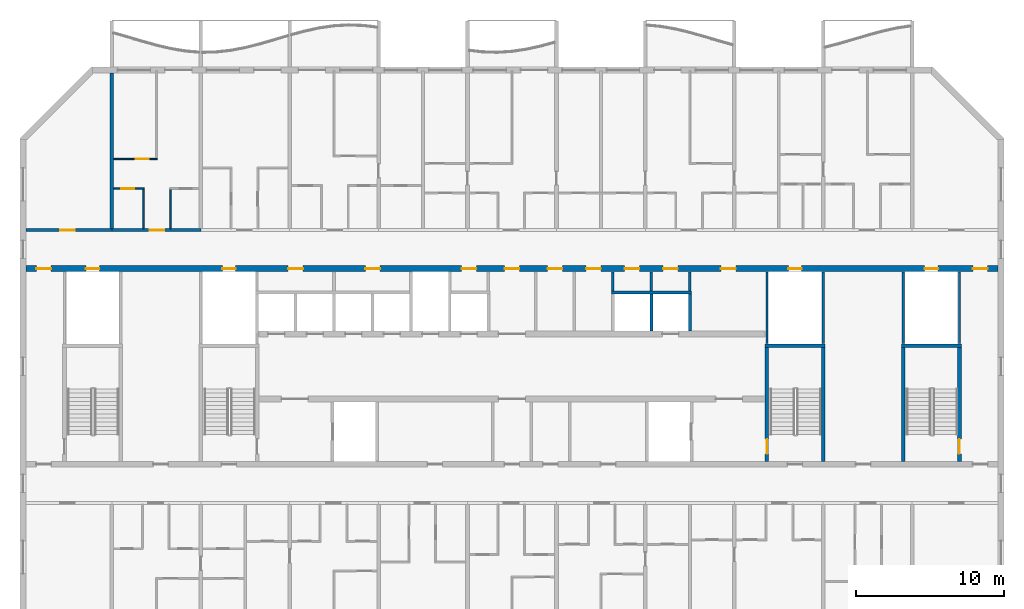
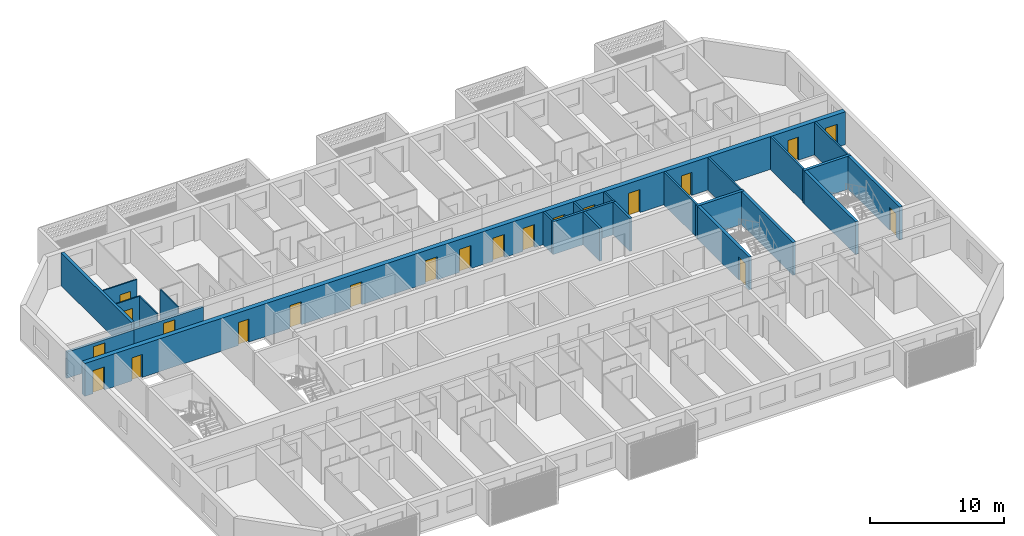
# One storey, part 7 of 27: 24 walls, 21 doors, 21 openings.
"""IFC4 building model written with IfcOpenShell, lengths in metres."""

import ifcopenshell
import ifcopenshell.guid

model = None  # the IFC model being written
_history = None  # IfcOwnerHistory: only IFC2X3 demands one
_inside = {}  # id of a spatial element -> (the spatial element, [elements in it])
_under = {}  # id of a project, library or spatial element -> (it, [spatial elements below it])
_declared = {}  # id of a project -> (the project, [libraries it declares])
_typed = {}  # id of a type object -> (the type object, [elements of that type])
_made_of = {}  # id of a material, layer set ... -> (it, [elements and type objects made of it])


def new_model(schema):
    """Start an empty IFC model of exactly this schema.

    Asked for "IFC4X3", IfcOpenShell would pick the latest addendum, in which some entities
    have other attributes; the version numbers below select the first issue.
    IFC2X3 requires an IfcOwnerHistory on every rooted entity: one is made here for all.
    """
    global model, _history
    if schema == "IFC4X3":
        model = ifcopenshell.file(schema_version=(4, 3, 0, 0))
    else:
        model = ifcopenshell.file(schema=schema)
    _inside.clear()
    _under.clear()
    _declared.clear()
    _typed.clear()
    _made_of.clear()
    _history = None
    if model.schema == "IFC2X3":
        org = make("IfcOrganization", Name="unknown")
        user = make(
            "IfcPersonAndOrganization",
            ThePerson=make("IfcPerson", FamilyName="unknown"),
            TheOrganization=org,
        )
        app = make(
            "IfcApplication",
            ApplicationDeveloper=org,
            Version="unknown",
            ApplicationFullName="unknown",
            ApplicationIdentifier="unknown",
        )
        _history = make(
            "IfcOwnerHistory",
            OwningUser=user,
            OwningApplication=app,
            ChangeAction="ADDED",
            CreationDate=0,
        )
    return model


def make(cls, **values):
    """One entity of the class cls with the attributes given. An attribute that is None is left unset."""
    return model.create_entity(
        cls, **{name: value for name, value in values.items() if value is not None}
    )


def rooted(cls, **values):
    """An entity with a GlobalId (a new one), such as an element, a storey or a relation."""
    return make(cls, GlobalId=ifcopenshell.guid.new(), OwnerHistory=_history, **values)


def si_unit(unit_type, name, prefix=None):
    """IfcSIUnit, for example si_unit("LENGTHUNIT", "METRE", prefix="MILLI")."""
    return make("IfcSIUnit", UnitType=unit_type, Prefix=prefix, Name=name)


def assignment(units):
    """IfcUnitAssignment: the units of a project."""
    return None if units is None else make("IfcUnitAssignment", Units=units)


def point(xyz):
    """IfcCartesianPoint."""
    return None if xyz is None else make("IfcCartesianPoint", Coordinates=xyz)


def direction(xyz):
    """IfcDirection."""
    return None if xyz is None else make("IfcDirection", DirectionRatios=xyz)


def frame(location, z_axis=None, x_axis=None):
    """IfcAxis2Placement3D, a coordinate frame: its origin and axes. An axis left out is left unset."""
    return make(
        "IfcAxis2Placement3D",
        Location=point(location),
        Axis=direction(z_axis),
        RefDirection=direction(x_axis),
    )


def frame_2d(location, x_axis=None):
    """IfcAxis2Placement2D, a coordinate frame in the plane: its origin and x axis."""
    return make(
        "IfcAxis2Placement2D", Location=point(location), RefDirection=direction(x_axis)
    )


def origin():
    """The frame at (0, 0, 0) with its axes left unset."""
    return frame((0.0, 0.0, 0.0))


def place(relative_to, where):
    """IfcLocalPlacement: puts the frame where relative to a parent placement (None: the world)."""
    return make(
        "IfcLocalPlacement", PlacementRelTo=relative_to, RelativePlacement=where
    )


def context(
    kind, dimensions, precision=None, world=None, true_north=None, identifier=None
):
    """IfcGeometricRepresentationContext, for example the 3D "Model" context."""
    return make(
        "IfcGeometricRepresentationContext",
        ContextIdentifier=identifier,
        ContextType=kind,
        CoordinateSpaceDimension=dimensions,
        Precision=precision,
        WorldCoordinateSystem=world,
        TrueNorth=true_north,
    )


def subcontext(parent, identifier, kind, view, scale=None):
    """IfcGeometricRepresentationSubContext, for example "Body" below "Model"."""
    return make(
        "IfcGeometricRepresentationSubContext",
        ContextIdentifier=identifier,
        ContextType=kind,
        ParentContext=parent,
        TargetScale=scale,
        TargetView=view,
    )


def project(units=None, contexts=None):
    """IfcProject with its units and contexts."""
    return rooted(
        "IfcProject",
        Name="project",
        RepresentationContexts=contexts,
        UnitsInContext=assignment(units),
    )


def spatial(cls, under=None, at=None, **own):
    """A site, building, storey or space (cls), placed at a placement, below another one or the project."""
    s = rooted(cls, ObjectPlacement=at, **own)
    if under is not None:
        _under.setdefault(under.id(), (under, []))[1].append(s)
    return s


def profile(cls, at=None, kind="AREA", **sizes):
    """A parametric profile (cls). Its sizes go by their IFC names, for example OverallWidth=200.0."""
    return make(cls, ProfileType=kind, Position=at, **sizes)


def rectangle(**sizes):
    """IfcRectangleProfileDef."""
    return profile("IfcRectangleProfileDef", **sizes)


def extrude(swept, where, along, depth):
    """IfcExtrudedAreaSolid: the profile swept, set in the frame where, extruded along a direction by depth."""
    return make(
        "IfcExtrudedAreaSolid",
        SweptArea=swept,
        Position=where,
        ExtrudedDirection=direction(along),
        Depth=depth,
    )


def shape(context_of_items, identifier, shape_type, items):
    """IfcShapeRepresentation: the items that make up one representation, for example the "Body"."""
    return make(
        "IfcShapeRepresentation",
        ContextOfItems=context_of_items,
        RepresentationIdentifier=identifier,
        RepresentationType=shape_type,
        Items=items,
    )


def material(Name=None, Category=None):
    """IfcMaterial."""
    return make("IfcMaterial", Name=Name, Category=Category)


def layer(
    of_material, thickness, ventilated=None, Name=None, Category=None, Priority=None
):
    """IfcMaterialLayer: one layer of a wall or slab, of a material (None: an air gap)."""
    return make(
        "IfcMaterialLayer",
        Material=of_material,
        LayerThickness=thickness,
        IsVentilated=ventilated,
        Name=Name,
        Category=Category,
        Priority=Priority,
    )


def layer_set(layers, Name=None):
    """IfcMaterialLayerSet."""
    return make("IfcMaterialLayerSet", MaterialLayers=layers, LayerSetName=Name)


def made_of(thing, what):
    """Note that an element or type object is made of a material, layer set ...; save() writes the relation."""
    if what is not None:
        _made_of.setdefault(what.id(), (what, []))[1].append(thing)
    return thing


def type_object(cls, material=None, **own):
    """A type object (cls), such as IfcWallType, which elements share."""
    return made_of(rooted(cls, **own), material)


def element(
    cls,
    number,
    at=None,
    inside=None,
    cuts=None,
    type_object=None,
    material=None,
    context=None,
    identifier="Body",
    shape_type=None,
    held_by="IfcProductDefinitionShape",
    body=None,
    shapes=None,
    **own,
):
    """One element of the class cls, such as IfcWall. Its Tag is "e" and its number.

    at: its placement. inside: the storey or other place that contains it. cuts: it is an
    opening in that element (IfcRelVoidsElement). A single representation is given by context,
    identifier, shape_type and body (its items); several are given by shapes. held_by: the class
    of the entity that holds the representations. save() writes the other relations.
    """
    e = rooted(cls, Tag="e%d" % number, ObjectPlacement=at, **own)
    if body is not None:
        shapes = [shape(context, identifier, shape_type, body)]
    if shapes is not None:
        e.Representation = make(held_by, Representations=shapes)
    if inside is not None:
        _inside.setdefault(inside.id(), (inside, []))[1].append(e)
    if cuts is not None:
        rooted(
            "IfcRelVoidsElement", RelatingBuildingElement=cuts, RelatedOpeningElement=e
        )
    if type_object is not None:
        _typed.setdefault(type_object.id(), (type_object, []))[1].append(e)
    return made_of(e, material)


def fill(opening, filler):
    """IfcRelFillsElement: the door or window that sits in an opening."""
    return rooted(
        "IfcRelFillsElement",
        RelatingOpeningElement=opening,
        RelatedBuildingElement=filler,
    )


def aggregate(whole, parts):
    """IfcRelAggregates: a whole, such as a stair, and the parts it consists of."""
    return rooted("IfcRelAggregates", RelatingObject=whole, RelatedObjects=parts)


def save(model, path):
    """Write the relations noted so far, then the file.

    IfcRelAggregates (storeys below a building ...), IfcRelContainedInSpatialStructure (elements
    in a storey), IfcRelDefinesByType, IfcRelAssociatesMaterial and IfcRelDeclares: one each for
    every whole, place, type object, material and project.
    """
    for whole, parts in _under.values():
        aggregate(whole, parts)
    for where, things in _inside.values():
        rooted(
            "IfcRelContainedInSpatialStructure",
            RelatedElements=things,
            RelatingStructure=where,
        )
    for kind, things in _typed.values():
        rooted("IfcRelDefinesByType", RelatedObjects=things, RelatingType=kind)
    for what, things in _made_of.values():
        rooted("IfcRelAssociatesMaterial", RelatedObjects=things, RelatingMaterial=what)
    for by, libraries in _declared.values():
        rooted("IfcRelDeclares", RelatingContext=by, RelatedDefinitions=libraries)
    model.write(path)


model = new_model("IFC4")

# Units and contexts
model_context = context("Model", 3, precision=1e-05, world=origin(), true_north=direction((0.0, 1.0)))
body_context = subcontext(model_context, "Body", "Model", "MODEL_VIEW")
ifc_project = project(units=[si_unit("LENGTHUNIT", "METRE"), si_unit("AREAUNIT", "SQUARE_METRE"), si_unit("VOLUMEUNIT", "CUBIC_METRE"), si_unit("PLANEANGLEUNIT", "RADIAN"), si_unit("MASSUNIT", "GRAM", prefix="KILO")], contexts=[model_context])

# Site, building, storey
site_placement = place(None, origin())
site = spatial("IfcSite", under=ifc_project, at=site_placement, CompositionType="ELEMENT")
building_placement = place(site_placement, origin())
building = spatial("IfcBuilding", under=site, at=building_placement, Name="Poui Terraces", CompositionType="ELEMENT")
storey_placement = place(building_placement, frame((0.0, 0.0, 208.199951171875)))
storey = spatial("IfcBuildingStorey", under=building, at=storey_placement, Name="L58", CompositionType="ELEMENT", Elevation=208.199951171875)

# Wall, opening, door
ifc_material_1 = material(Name="Concrete 50 MPa", Category="concrete")
ifc_layer_1 = layer(ifc_material_1, 0.199951171875)
ifc_layer_set_1 = layer_set([ifc_layer_1], Name="Concrete 50 MPa")
wall_type_1 = type_object("IfcWallType", Name="CORRIDOR WALL 200 50MPa", PredefinedType="SHEAR", material=ifc_layer_set_1)
wall_1_placement = place(storey_placement, frame((18.199951171875, 30.39990234375, 0.0), z_axis=(0.0, 0.0, 1.0), x_axis=(1.0, 0.0, 0.0)))
wall_1 = element("IfcWall", 1, at=wall_1_placement, inside=storey, type_object=wall_type_1, Name="CORRIDOR WALL LINE E BAY 1", PredefinedType="SHEAR", context=body_context, shape_type="SweptSolid", body=[
    extrude(rectangle(XDim=5.800048828125, YDim=0.199951171875, at=frame_2d((2.89990234375, 0.0))), origin(), (0.0, 0.0, 1.0), 2.400146484375),
])
opening_1_placement = place(wall_1_placement, frame((2.300048828125, 0.0, 0.0)))
opening_1 = element("IfcOpeningElement", 2, at=opening_1_placement, cuts=wall_1, Name="Opening D100", PredefinedType="OPENING", context=body_context, shape_type="SweptSolid", body=[
    extrude(rectangle(XDim=1.0, YDim=2.10009765625, at=frame_2d((0.5, 1.050048828125))), frame((0.0, 0.10986328125, 0.0), z_axis=(0.0, -1.0, 0.0), x_axis=(1.0, 0.0, 0.0)), (0.0, 0.0, 1.0), 0.219970703125),
])
ifc_material_2 = material(Name="Solid core timber door", Category="wood")
door_type_1 = type_object("IfcDoorType", Name="ACCESSIBLE INTERNAL DOOR 1000 X 2100", OperationType="NOTDEFINED", PredefinedType="DOOR", material=ifc_material_2)
door_1_placement = place(opening_1_placement, origin())
door_1 = element("IfcDoor", 3, at=door_1_placement, inside=storey, type_object=door_type_1, Name="ACCESSIBLE INTERNAL DOOR 026", OperationType="SINGLE_SWING_LEFT", OverallHeight=2.10009765625, OverallWidth=1.0, PredefinedType="DOOR", context=body_context, shape_type="SweptSolid", body=[
    extrude(rectangle(XDim=1.0, YDim=2.10009765625, at=frame_2d((0.5, 1.050048828125))), frame((0.0, 0.02490234375, 0.0), z_axis=(0.0, -1.0, 0.0), x_axis=(1.0, 0.0, 0.0)), (0.0, 0.0, 1.0), 0.050048828125),
])
fill(opening_1, door_1)

wall_2_placement = place(storey_placement, frame((24.0, 30.39990234375, 0.0), z_axis=(0.0, 0.0, 1.0), x_axis=(1.0, 0.0, 0.0)))
wall_2 = element("IfcWall", 4, at=wall_2_placement, inside=storey, type_object=wall_type_1, Name="CORRIDOR WALL LINE E BAY 2", PredefinedType="SHEAR", context=body_context, shape_type="SweptSolid", body=[
    extrude(rectangle(XDim=6.0, YDim=0.199951171875, at=frame_2d((3.0, 0.0))), origin(), (0.0, 0.0, 1.0), 2.400146484375),
])
opening_2_placement = place(wall_2_placement, frame((2.550048828125, 0.0, 0.0)))
opening_2 = element("IfcOpeningElement", 5, at=opening_2_placement, cuts=wall_2, Name="Opening FD30S", PredefinedType="OPENING", context=body_context, shape_type="SweptSolid", body=[
    extrude(rectangle(XDim=1.0, YDim=2.10009765625, at=frame_2d((0.5, 1.050048828125))), frame((0.0, 0.10986328125, 0.0), z_axis=(0.0, -1.0, 0.0), x_axis=(1.0, 0.0, 0.0)), (0.0, 0.0, 1.0), 0.219970703125),
])
ifc_material_3 = material(Name="Steel fire door", Category="steel")
door_type_2 = type_object("IfcDoorType", Name="FLAT ENTRANCE DOOR 1000 X 2100", OperationType="NOTDEFINED", PredefinedType="DOOR", material=ifc_material_3)
door_2_placement = place(opening_2_placement, origin())
door_2 = element("IfcDoor", 6, at=door_2_placement, inside=storey, type_object=door_type_2, Name="FLAT ENTRANCE DOOR 029", OperationType="SINGLE_SWING_RIGHT", OverallHeight=2.10009765625, OverallWidth=1.0, PredefinedType="DOOR", context=body_context, shape_type="SweptSolid", body=[
    extrude(rectangle(XDim=1.0, YDim=2.10009765625, at=frame_2d((0.5, 1.050048828125))), frame((0.0, 0.02490234375, 0.0), z_axis=(0.0, -1.0, 0.0), x_axis=(1.0, 0.0, 0.0)), (0.0, 0.0, 1.0), 0.050048828125),
])
fill(opening_2, door_2)

# Wall
ifc_layer_2 = layer(ifc_material_1, 0.25)
ifc_layer_set_2 = layer_set([ifc_layer_2], Name="Concrete 50 MPa")
wall_type_2 = type_object("IfcWallType", Name="CROSS WALL 250 50MPa", PredefinedType="SHEAR", material=ifc_layer_set_2)
wall_3_placement = place(storey_placement, frame((24.0, 30.5, 0.0), z_axis=(0.0, 0.0, 1.0), x_axis=(0.0, 1.0, 0.0)))
element("IfcWall", 7, at=wall_3_placement, inside=storey, type_object=wall_type_2, Name="CROSS WALL LINE 5 NORTH", PredefinedType="SHEAR", context=body_context, shape_type="SweptSolid", body=[
    extrude(rectangle(XDim=10.5, YDim=0.25, at=frame_2d((5.25, 0.0))), origin(), (0.0, 0.0, 1.0), 3.0),
])

# Wall, opening, door
ifc_material_4 = material(Name="Plasterboard partition")
ifc_layer_3 = layer(ifc_material_4, 0.10009765625)
ifc_layer_set_3 = layer_set([ifc_layer_3], Name="Plasterboard partition")
wall_type_3 = type_object("IfcWallType", Name="FLAT PARTITION 100", PredefinedType="PARTITIONING", material=ifc_layer_set_3)
wall_4_placement = place(storey_placement, frame((24.135009765625, 33.199951171875, 0.0), z_axis=(0.0, 0.0, 1.0), x_axis=(1.0, 0.0, 0.0)))
wall_4 = element("IfcWall", 8, at=wall_4_placement, inside=storey, type_object=wall_type_3, Name="FLAT PARTITION 100", PredefinedType="PARTITIONING", context=body_context, shape_type="SweptSolid", body=[
    extrude(rectangle(XDim=2.06494140625, YDim=0.10009765625, at=frame_2d((1.032470703125, 0.0))), origin(), (0.0, 0.0, 1.0), 3.0),
])
opening_3_placement = place(wall_4_placement, frame((0.489990234375, 0.0, 0.0)))
opening_3 = element("IfcOpeningElement", 9, at=opening_3_placement, cuts=wall_4, Name="Opening D90", PredefinedType="OPENING", context=body_context, shape_type="SweptSolid", body=[
    extrude(rectangle(XDim=0.89990234375, YDim=2.10009765625, at=frame_2d((0.449951171875, 1.050048828125))), frame((0.0, 0.06005859375, 0.0), z_axis=(0.0, -1.0, 0.0), x_axis=(1.0, 0.0, 0.0)), (0.0, 0.0, 1.0), 0.1201171875),
])
door_type_3 = type_object("IfcDoorType", Name="INTERNAL DOOR 900 X 2100", OperationType="NOTDEFINED", PredefinedType="DOOR", material=ifc_material_2)
door_3_placement = place(opening_3_placement, frame((0.89990234375, 0.0, 0.0), z_axis=(0.0, 0.0, 1.0), x_axis=(-1.0, 0.0, 0.0)))
door_3 = element("IfcDoor", 10, at=door_3_placement, inside=storey, type_object=door_type_3, Name="INTERNAL DOOR 027", OperationType="SINGLE_SWING_LEFT", OverallHeight=2.10009765625, OverallWidth=0.89990234375, PredefinedType="DOOR", context=body_context, shape_type="SweptSolid", body=[
    extrude(rectangle(XDim=0.89990234375, YDim=2.10009765625, at=frame_2d((0.449951171875, 1.050048828125))), frame((0.0, 0.02490234375, 0.0), z_axis=(0.0, -1.0, 0.0), x_axis=(1.0, 0.0, 0.0)), (0.0, 0.0, 1.0), 0.050048828125),
])
fill(opening_3, door_3)

wall_5_placement = place(storey_placement, frame((24.135009765625, 35.199951171875, 0.0), z_axis=(0.0, 0.0, 1.0), x_axis=(1.0, 0.0, 0.0)))
wall_5 = element("IfcWall", 11, at=wall_5_placement, inside=storey, type_object=wall_type_3, Name="FLAT PARTITION 100", PredefinedType="PARTITIONING", context=body_context, shape_type="SweptSolid", body=[
    extrude(rectangle(XDim=2.9150390625, YDim=0.10009765625, at=frame_2d((1.45751953125, 0.0))), origin(), (0.0, 0.0, 1.0), 3.0),
])
opening_4_placement = place(wall_5_placement, frame((1.465087890625, 0.0, 0.0)))
opening_4 = element("IfcOpeningElement", 12, at=opening_4_placement, cuts=wall_5, Name="Opening D90", PredefinedType="OPENING", context=body_context, shape_type="SweptSolid", body=[
    extrude(rectangle(XDim=0.89990234375, YDim=2.10009765625, at=frame_2d((0.449951171875, 1.050048828125))), frame((0.0, 0.06005859375, 0.0), z_axis=(0.0, -1.0, 0.0), x_axis=(1.0, 0.0, 0.0)), (0.0, 0.0, 1.0), 0.1201171875),
])
door_4_placement = place(opening_4_placement, frame((0.89990234375, 0.0, 0.0), z_axis=(0.0, 0.0, 1.0), x_axis=(-1.0, 0.0, 0.0)))
door_4 = element("IfcDoor", 13, at=door_4_placement, inside=storey, type_object=door_type_3, Name="INTERNAL DOOR 028", OperationType="SINGLE_SWING_RIGHT", OverallHeight=2.10009765625, OverallWidth=0.89990234375, PredefinedType="DOOR", context=body_context, shape_type="SweptSolid", body=[
    extrude(rectangle(XDim=0.89990234375, YDim=2.10009765625, at=frame_2d((0.449951171875, 1.050048828125))), frame((0.0, 0.02490234375, 0.0), z_axis=(0.0, -1.0, 0.0), x_axis=(1.0, 0.0, 0.0)), (0.0, 0.0, 1.0), 0.050048828125),
])
fill(opening_4, door_4)

# Walls
for number, where, z_axis, x_axis, name in (
    (14, (26.14990234375, 30.510009765625, 0.0), (0.0, 0.0, 1.0), (0.0, 1.0, 0.0), "FLAT PARTITION 100"),
    (15, (27.949951171875, 30.510009765625, 0.0), (0.0, 0.0, 1.0), (0.0, 1.0, 0.0), "FLAT PARTITION 100"),
):
    element("IfcWall", number, at=place(storey_placement, frame(where, z_axis=z_axis, x_axis=x_axis)), inside=storey, type_object=wall_type_3, Name=name, PredefinedType="PARTITIONING", context=body_context, shape_type="SweptSolid", body=[
        extrude(rectangle(XDim=2.639892578125, YDim=0.10009765625, at=frame_2d((1.31982421875, 0.0))), origin(), (0.0, 0.0, 1.0), 3.0),
    ])
ifc_layer_4 = layer(ifc_material_4, 0.14990234375)
ifc_layer_set_4 = layer_set([ifc_layer_4], Name="Plasterboard partition")
wall_type_4 = type_object("IfcWallType", Name="PARTITION WALL 150", PredefinedType="PARTITIONING", material=ifc_layer_set_4)
for number, where, z_axis, x_axis, name in (
    (16, (57.800048828125, 26.300048828125, 0.0), (0.0, 0.0, 1.0), (0.0, 1.0, 0.0), "PARTITION WALL 150"),
    (17, (60.39990234375, 26.300048828125, 0.0), (0.0, 0.0, 1.0), (0.0, 1.0, 0.0), "PARTITION WALL 150"),
    (18, (63.0, 26.300048828125, 0.0), (0.0, 0.0, 1.0), (0.0, 1.0, 0.0), "PARTITION WALL 150"),
):
    element("IfcWall", number, at=place(storey_placement, frame(where, z_axis=z_axis, x_axis=x_axis)), inside=storey, type_object=wall_type_4, Name=name, PredefinedType="PARTITIONING", context=body_context, shape_type="SweptSolid", body=[
        extrude(rectangle(XDim=1.2900390625, YDim=0.14990234375, at=frame_2d((0.64501953125, 0.0))), origin(), (0.0, 0.0, 1.0), 3.0),
    ])
ifc_material_5 = material(Name="Fire-rated plasterboard riser wall")
ifc_layer_5 = layer(ifc_material_5, 0.14990234375)
ifc_layer_set_5 = layer_set([ifc_layer_5], Name="Fire-rated plasterboard riser wall")
wall_type_5 = type_object("IfcWallType", Name="RISER WALL 150", PredefinedType="PARTITIONING", material=ifc_layer_set_5)
for number, where, z_axis, x_axis, name in (
    (19, (68.199951171875, 22.735107421875, 0.0), (0.0, 0.0, 1.0), (0.0, 1.0, 0.0), "RISER WALL 150"),
    (20, (72.0, 22.735107421875, 0.0), (0.0, 0.0, 1.0), (0.0, 1.0, 0.0), "RISER WALL 150"),
    (21, (77.39990234375, 22.735107421875, 0.0), (0.0, 0.0, 1.0), (0.0, 1.0, 0.0), "RISER WALL 150"),
    (22, (81.199951171875, 22.735107421875, 0.0), (0.0, 0.0, 1.0), (0.0, 1.0, 0.0), "RISER WALL 150"),
):
    element("IfcWall", number, at=place(storey_placement, frame(where, z_axis=z_axis, x_axis=x_axis)), inside=storey, type_object=wall_type_5, Name=name, PredefinedType="PARTITIONING", context=body_context, shape_type="SweptSolid", body=[
        extrude(rectangle(XDim=4.85498046875, YDim=0.14990234375, at=frame_2d((2.427490234375, 0.0))), origin(), (0.0, 0.0, 1.0), 3.0),
    ])
ifc_material_6 = material(Name="Fire-rated masonry shaft wall", Category="masonry")
ifc_layer_6 = layer(ifc_material_6, 0.199951171875)
ifc_layer_set_6 = layer_set([ifc_layer_6], Name="Fire-rated masonry shaft wall")
wall_type_6 = type_object("IfcWallType", Name="SHAFT WALL 200", PredefinedType="PARTITIONING", material=ifc_layer_set_6)
wall_6_placement = place(storey_placement, frame((57.699951171875, 26.199951171875, 0.0), z_axis=(0.0, 0.0, 1.0), x_axis=(1.0, 0.0, 0.0)))
element("IfcWall", 23, at=wall_6_placement, inside=storey, type_object=wall_type_6, Name="SHAFT WALL 200", PredefinedType="PARTITIONING", context=body_context, shape_type="SweptSolid", body=[
    extrude(rectangle(XDim=5.400146484375, YDim=0.199951171875, at=frame_2d((2.7001953125, 0.0))), origin(), (0.0, 0.0, 1.0), 3.0),
])
for number, where, z_axis, x_axis, name in (
    (24, (60.39990234375, 23.610107421875, 0.0), (0.0, 0.0, 1.0), (0.0, 1.0, 0.0), "SHAFT WALL 200"),
    (25, (63.0, 23.610107421875, 0.0), (0.0, 0.0, 1.0), (0.0, 1.0, 0.0), "SHAFT WALL 200"),
):
    element("IfcWall", number, at=place(storey_placement, frame(where, z_axis=z_axis, x_axis=x_axis)), inside=storey, type_object=wall_type_6, Name=name, PredefinedType="PARTITIONING", context=body_context, shape_type="SweptSolid", body=[
        extrude(rectangle(XDim=2.489990234375, YDim=0.199951171875, at=frame_2d((1.2451171875, 0.0))), origin(), (0.0, 0.0, 1.0), 3.0),
    ])

# Wall, openings, doors
ifc_layer_7 = layer(ifc_material_1, 0.39990234375)
ifc_layer_set_7 = layer_set([ifc_layer_7], Name="Concrete 50 MPa")
wall_type_7 = type_object("IfcWallType", Name="SPINE WALL 400 50 MPA", PredefinedType="SOLIDWALL", material=ifc_layer_set_7)
wall_7_placement = place(storey_placement, frame((18.199951171875, 27.800048828125, 0.0), z_axis=(0.0, 0.0, 1.0), x_axis=(1.0, 0.0, 0.0)))
wall_7 = element("IfcWall", 26, at=wall_7_placement, inside=storey, type_object=wall_type_7, Name="SPINE WALL", PredefinedType="SOLIDWALL", context=body_context, shape_type="SweptSolid", body=[
    extrude(rectangle(XDim=65.60009765625, YDim=0.39990234375, at=frame_2d((32.800048828125, 0.0))), origin(), (0.0, 0.0, 1.0), 3.0),
])
opening_5_placement = place(wall_7_placement, frame((0.699951171875, 0.0, 0.0)))
opening_5 = element("IfcOpeningElement", 27, at=opening_5_placement, cuts=wall_7, Name="Opening FDL", PredefinedType="OPENING", context=body_context, shape_type="SweptSolid", body=[
    extrude(rectangle(XDim=1.0, YDim=2.10009765625, at=frame_2d((0.5, 1.050048828125))), frame((0.0, 0.2099609375, 0.0), z_axis=(0.0, -1.0, 0.0), x_axis=(1.0, 0.0, 0.0)), (0.0, 0.0, 1.0), 0.419921875),
])
opening_6_placement = place(wall_7_placement, frame((4.050048828125, 0.0, 0.0)))
opening_6 = element("IfcOpeningElement", 28, at=opening_6_placement, cuts=wall_7, Name="Opening FDR", PredefinedType="OPENING", context=body_context, shape_type="SweptSolid", body=[
    extrude(rectangle(XDim=0.89990234375, YDim=2.10009765625, at=frame_2d((0.449951171875, 1.050048828125))), frame((0.0, 0.2099609375, 0.0), z_axis=(0.0, -1.0, 0.0), x_axis=(1.0, 0.0, 0.0)), (0.0, 0.0, 1.0), 0.419921875),
])
opening_7_placement = place(wall_7_placement, frame((13.25, 0.0, 0.0)))
opening_7 = element("IfcOpeningElement", 29, at=opening_7_placement, cuts=wall_7, Name="Opening FDR", PredefinedType="OPENING", context=body_context, shape_type="SweptSolid", body=[
    extrude(rectangle(XDim=0.89990234375, YDim=2.10009765625, at=frame_2d((0.449951171875, 1.050048828125))), frame((0.0, 0.2099609375, 0.0), z_axis=(0.0, -1.0, 0.0), x_axis=(1.0, 0.0, 0.0)), (0.0, 0.0, 1.0), 0.419921875),
])
opening_8_placement = place(wall_7_placement, frame((17.699951171875, 0.0, 0.0)))
opening_8 = element("IfcOpeningElement", 30, at=opening_8_placement, cuts=wall_7, Name="Opening FD60", PredefinedType="OPENING", context=body_context, shape_type="SweptSolid", body=[
    extrude(rectangle(XDim=1.0, YDim=2.10009765625, at=frame_2d((0.5, 1.050048828125))), frame((0.0, 0.2099609375, 0.0), z_axis=(0.0, -1.0, 0.0), x_axis=(1.0, 0.0, 0.0)), (0.0, 0.0, 1.0), 0.419921875),
])
opening_9_placement = place(wall_7_placement, frame((22.89990234375, 0.0, 0.0)))
opening_9 = element("IfcOpeningElement", 31, at=opening_9_placement, cuts=wall_7, Name="Opening FD60", PredefinedType="OPENING", context=body_context, shape_type="SweptSolid", body=[
    extrude(rectangle(XDim=1.0, YDim=2.10009765625, at=frame_2d((0.5, 1.050048828125))), frame((0.0, 0.2099609375, 0.0), z_axis=(0.0, -1.0, 0.0), x_axis=(1.0, 0.0, 0.0)), (0.0, 0.0, 1.0), 0.419921875),
])
opening_10_placement = place(wall_7_placement, frame((29.39990234375, 0.0, 0.0)))
opening_10 = element("IfcOpeningElement", 32, at=opening_10_placement, cuts=wall_7, Name="Opening FD60", PredefinedType="OPENING", context=body_context, shape_type="SweptSolid", body=[
    extrude(rectangle(XDim=1.0, YDim=2.10009765625, at=frame_2d((0.5, 1.050048828125))), frame((0.0, 0.2099609375, 0.0), z_axis=(0.0, -1.0, 0.0), x_axis=(1.0, 0.0, 0.0)), (0.0, 0.0, 1.0), 0.419921875),
])
opening_11_placement = place(wall_7_placement, frame((32.300048828125, 0.0, 0.0)))
opening_11 = element("IfcOpeningElement", 33, at=opening_11_placement, cuts=wall_7, Name="Opening FDL", PredefinedType="OPENING", context=body_context, shape_type="SweptSolid", body=[
    extrude(rectangle(XDim=1.0, YDim=2.10009765625, at=frame_2d((0.5, 1.050048828125))), frame((0.0, 0.2099609375, 0.0), z_axis=(0.0, -1.0, 0.0), x_axis=(1.0, 0.0, 0.0)), (0.0, 0.0, 1.0), 0.419921875),
])
opening_12_placement = place(wall_7_placement, frame((35.199951171875, 0.0, 0.0)))
opening_12 = element("IfcOpeningElement", 34, at=opening_12_placement, cuts=wall_7, Name="Opening FD60", PredefinedType="OPENING", context=body_context, shape_type="SweptSolid", body=[
    extrude(rectangle(XDim=1.0, YDim=2.10009765625, at=frame_2d((0.5, 1.050048828125))), frame((0.0, 0.2099609375, 0.0), z_axis=(0.0, -1.0, 0.0), x_axis=(1.0, 0.0, 0.0)), (0.0, 0.0, 1.0), 0.419921875),
])
opening_13_placement = place(wall_7_placement, frame((37.800048828125, 0.0, 0.0)))
opening_13 = element("IfcOpeningElement", 35, at=opening_13_placement, cuts=wall_7, Name="Opening FD60", PredefinedType="OPENING", context=body_context, shape_type="SweptSolid", body=[
    extrude(rectangle(XDim=1.0, YDim=2.10009765625, at=frame_2d((0.5, 1.050048828125))), frame((0.0, 0.2099609375, 0.0), z_axis=(0.0, -1.0, 0.0), x_axis=(1.0, 0.0, 0.0)), (0.0, 0.0, 1.0), 0.419921875),
])
opening_14_placement = place(wall_7_placement, frame((40.39990234375, 0.0, 0.0)))
opening_14 = element("IfcOpeningElement", 36, at=opening_14_placement, cuts=wall_7, Name="Opening FD60", PredefinedType="OPENING", context=body_context, shape_type="SweptSolid", body=[
    extrude(rectangle(XDim=1.0, YDim=2.10009765625, at=frame_2d((0.5, 1.050048828125))), frame((0.0, 0.2099609375, 0.0), z_axis=(0.0, -1.0, 0.0), x_axis=(1.0, 0.0, 0.0)), (0.0, 0.0, 1.0), 0.419921875),
])
opening_15_placement = place(wall_7_placement, frame((43.0, 0.0, 0.0)))
opening_15 = element("IfcOpeningElement", 37, at=opening_15_placement, cuts=wall_7, Name="Opening FD60", PredefinedType="OPENING", context=body_context, shape_type="SweptSolid", body=[
    extrude(rectangle(XDim=1.0, YDim=2.10009765625, at=frame_2d((0.5, 1.050048828125))), frame((0.0, 0.2099609375, 0.0), z_axis=(0.0, -1.0, 0.0), x_axis=(1.0, 0.0, 0.0)), (0.0, 0.0, 1.0), 0.419921875),
])
opening_16_placement = place(wall_7_placement, frame((46.89990234375, 0.0, 0.0)))
opening_16 = element("IfcOpeningElement", 38, at=opening_16_placement, cuts=wall_7, Name="Opening FD60", PredefinedType="OPENING", context=body_context, shape_type="SweptSolid", body=[
    extrude(rectangle(XDim=1.0, YDim=2.10009765625, at=frame_2d((0.5, 1.050048828125))), frame((0.0, 0.2099609375, 0.0), z_axis=(0.0, -1.0, 0.0), x_axis=(1.0, 0.0, 0.0)), (0.0, 0.0, 1.0), 0.419921875),
])
opening_17_placement = place(wall_7_placement, frame((51.449951171875, 0.0, 0.0)))
opening_17 = element("IfcOpeningElement", 39, at=opening_17_placement, cuts=wall_7, Name="Opening FDR", PredefinedType="OPENING", context=body_context, shape_type="SweptSolid", body=[
    extrude(rectangle(XDim=0.89990234375, YDim=2.10009765625, at=frame_2d((0.449951171875, 1.050048828125))), frame((0.0, 0.2099609375, 0.0), z_axis=(0.0, -1.0, 0.0), x_axis=(1.0, 0.0, 0.0)), (0.0, 0.0, 1.0), 0.419921875),
])
opening_18_placement = place(wall_7_placement, frame((60.64990234375, 0.0, 0.0)))
opening_18 = element("IfcOpeningElement", 40, at=opening_18_placement, cuts=wall_7, Name="Opening FDR", PredefinedType="OPENING", context=body_context, shape_type="SweptSolid", body=[
    extrude(rectangle(XDim=0.89990234375, YDim=2.10009765625, at=frame_2d((0.449951171875, 1.050048828125))), frame((0.0, 0.2099609375, 0.0), z_axis=(0.0, -1.0, 0.0), x_axis=(1.0, 0.0, 0.0)), (0.0, 0.0, 1.0), 0.419921875),
])
opening_19_placement = place(wall_7_placement, frame((63.89990234375, 0.0, 0.0)))
opening_19 = element("IfcOpeningElement", 41, at=opening_19_placement, cuts=wall_7, Name="Opening FDL", PredefinedType="OPENING", context=body_context, shape_type="SweptSolid", body=[
    extrude(rectangle(XDim=1.0, YDim=2.10009765625, at=frame_2d((0.5, 1.050048828125))), frame((0.0, 0.2099609375, 0.0), z_axis=(0.0, -1.0, 0.0), x_axis=(1.0, 0.0, 0.0)), (0.0, 0.0, 1.0), 0.419921875),
])
door_type_4 = type_object("IfcDoorType", Name="LOBBY FIRE DOOR 1000 X 2100", OperationType="NOTDEFINED", PredefinedType="DOOR", material=ifc_material_3)
door_5_placement = place(opening_5_placement, origin())
door_5 = element("IfcDoor", 42, at=door_5_placement, inside=storey, type_object=door_type_4, Name="LOBBY FIRE DOOR 001", OperationType="SINGLE_SWING_LEFT", OverallHeight=2.10009765625, OverallWidth=1.0, PredefinedType="DOOR", context=body_context, shape_type="SweptSolid", body=[
    extrude(rectangle(XDim=1.0, YDim=2.10009765625, at=frame_2d((0.5, 1.050048828125))), frame((0.0, 0.02490234375, 0.0), z_axis=(0.0, -1.0, 0.0), x_axis=(1.0, 0.0, 0.0)), (0.0, 0.0, 1.0), 0.050048828125),
])
fill(opening_5, door_5)
door_6_placement = place(opening_11_placement, origin())
door_6 = element("IfcDoor", 43, at=door_6_placement, inside=storey, type_object=door_type_4, Name="LOBBY FIRE DOOR 007", OperationType="SINGLE_SWING_RIGHT", OverallHeight=2.10009765625, OverallWidth=1.0, PredefinedType="DOOR", context=body_context, shape_type="SweptSolid", body=[
    extrude(rectangle(XDim=1.0, YDim=2.10009765625, at=frame_2d((0.5, 1.050048828125))), frame((0.0, 0.02490234375, 0.0), z_axis=(0.0, -1.0, 0.0), x_axis=(1.0, 0.0, 0.0)), (0.0, 0.0, 1.0), 0.050048828125),
])
fill(opening_11, door_6)
door_7_placement = place(opening_19_placement, origin())
door_7 = element("IfcDoor", 44, at=door_7_placement, inside=storey, type_object=door_type_4, Name="LOBBY FIRE DOOR 015", OperationType="SINGLE_SWING_RIGHT", OverallHeight=2.10009765625, OverallWidth=1.0, PredefinedType="DOOR", context=body_context, shape_type="SweptSolid", body=[
    extrude(rectangle(XDim=1.0, YDim=2.10009765625, at=frame_2d((0.5, 1.050048828125))), frame((0.0, 0.02490234375, 0.0), z_axis=(0.0, -1.0, 0.0), x_axis=(1.0, 0.0, 0.0)), (0.0, 0.0, 1.0), 0.050048828125),
])
fill(opening_19, door_7)
door_type_5 = type_object("IfcDoorType", Name="RISER CUPBOARD DOOR 900 X 2100", OperationType="NOTDEFINED", PredefinedType="DOOR", material=ifc_material_3)
door_8_placement = place(opening_6_placement, origin())
door_8 = element("IfcDoor", 45, at=door_8_placement, inside=storey, type_object=door_type_5, Name="RISER CUPBOARD DOOR 002", OperationType="SINGLE_SWING_LEFT", OverallHeight=2.10009765625, OverallWidth=0.89990234375, PredefinedType="DOOR", context=body_context, shape_type="SweptSolid", body=[
    extrude(rectangle(XDim=0.89990234375, YDim=2.10009765625, at=frame_2d((0.449951171875, 1.050048828125))), frame((0.0, 0.02490234375, 0.0), z_axis=(0.0, -1.0, 0.0), x_axis=(1.0, 0.0, 0.0)), (0.0, 0.0, 1.0), 0.050048828125),
])
fill(opening_6, door_8)
door_9_placement = place(opening_7_placement, origin())
door_9 = element("IfcDoor", 46, at=door_9_placement, inside=storey, type_object=door_type_5, Name="RISER CUPBOARD DOOR 003", OperationType="SINGLE_SWING_LEFT", OverallHeight=2.10009765625, OverallWidth=0.89990234375, PredefinedType="DOOR", context=body_context, shape_type="SweptSolid", body=[
    extrude(rectangle(XDim=0.89990234375, YDim=2.10009765625, at=frame_2d((0.449951171875, 1.050048828125))), frame((0.0, 0.02490234375, 0.0), z_axis=(0.0, -1.0, 0.0), x_axis=(1.0, 0.0, 0.0)), (0.0, 0.0, 1.0), 0.050048828125),
])
fill(opening_7, door_9)
door_10_placement = place(opening_17_placement, origin())
door_10 = element("IfcDoor", 47, at=door_10_placement, inside=storey, type_object=door_type_5, Name="RISER CUPBOARD DOOR 013", OperationType="SINGLE_SWING_RIGHT", OverallHeight=2.10009765625, OverallWidth=0.89990234375, PredefinedType="DOOR", context=body_context, shape_type="SweptSolid", body=[
    extrude(rectangle(XDim=0.89990234375, YDim=2.10009765625, at=frame_2d((0.449951171875, 1.050048828125))), frame((0.0, 0.02490234375, 0.0), z_axis=(0.0, -1.0, 0.0), x_axis=(1.0, 0.0, 0.0)), (0.0, 0.0, 1.0), 0.050048828125),
])
fill(opening_17, door_10)
door_11_placement = place(opening_18_placement, origin())
door_11 = element("IfcDoor", 48, at=door_11_placement, inside=storey, type_object=door_type_5, Name="RISER CUPBOARD DOOR 014", OperationType="SINGLE_SWING_RIGHT", OverallHeight=2.10009765625, OverallWidth=0.89990234375, PredefinedType="DOOR", context=body_context, shape_type="SweptSolid", body=[
    extrude(rectangle(XDim=0.89990234375, YDim=2.10009765625, at=frame_2d((0.449951171875, 1.050048828125))), frame((0.0, 0.02490234375, 0.0), z_axis=(0.0, -1.0, 0.0), x_axis=(1.0, 0.0, 0.0)), (0.0, 0.0, 1.0), 0.050048828125),
])
fill(opening_18, door_11)
door_type_6 = type_object("IfcDoorType", Name="SERVICE ROOM FIRE DOOR 1000 X 2100", OperationType="NOTDEFINED", PredefinedType="DOOR", material=ifc_material_3)
door_12_placement = place(opening_8_placement, origin())
door_12 = element("IfcDoor", 49, at=door_12_placement, inside=storey, type_object=door_type_6, Name="SERVICE ROOM FIRE DOOR 004", OperationType="SINGLE_SWING_RIGHT", OverallHeight=2.10009765625, OverallWidth=1.0, PredefinedType="DOOR", context=body_context, shape_type="SweptSolid", body=[
    extrude(rectangle(XDim=1.0, YDim=2.10009765625, at=frame_2d((0.5, 1.050048828125))), frame((0.0, 0.02490234375, 0.0), z_axis=(0.0, -1.0, 0.0), x_axis=(1.0, 0.0, 0.0)), (0.0, 0.0, 1.0), 0.050048828125),
])
fill(opening_8, door_12)
door_13_placement = place(opening_9_placement, origin())
door_13 = element("IfcDoor", 50, at=door_13_placement, inside=storey, type_object=door_type_6, Name="SERVICE ROOM FIRE DOOR 005", OperationType="SINGLE_SWING_LEFT", OverallHeight=2.10009765625, OverallWidth=1.0, PredefinedType="DOOR", context=body_context, shape_type="SweptSolid", body=[
    extrude(rectangle(XDim=1.0, YDim=2.10009765625, at=frame_2d((0.5, 1.050048828125))), frame((0.0, 0.02490234375, 0.0), z_axis=(0.0, -1.0, 0.0), x_axis=(1.0, 0.0, 0.0)), (0.0, 0.0, 1.0), 0.050048828125),
])
fill(opening_9, door_13)
door_14_placement = place(opening_10_placement, origin())
door_14 = element("IfcDoor", 51, at=door_14_placement, inside=storey, type_object=door_type_6, Name="SERVICE ROOM FIRE DOOR 006", OperationType="SINGLE_SWING_RIGHT", OverallHeight=2.10009765625, OverallWidth=1.0, PredefinedType="DOOR", context=body_context, shape_type="SweptSolid", body=[
    extrude(rectangle(XDim=1.0, YDim=2.10009765625, at=frame_2d((0.5, 1.050048828125))), frame((0.0, 0.02490234375, 0.0), z_axis=(0.0, -1.0, 0.0), x_axis=(1.0, 0.0, 0.0)), (0.0, 0.0, 1.0), 0.050048828125),
])
fill(opening_10, door_14)
door_15_placement = place(opening_12_placement, origin())
door_15 = element("IfcDoor", 52, at=door_15_placement, inside=storey, type_object=door_type_6, Name="SERVICE ROOM FIRE DOOR 008", OperationType="SINGLE_SWING_LEFT", OverallHeight=2.10009765625, OverallWidth=1.0, PredefinedType="DOOR", context=body_context, shape_type="SweptSolid", body=[
    extrude(rectangle(XDim=1.0, YDim=2.10009765625, at=frame_2d((0.5, 1.050048828125))), frame((0.0, 0.02490234375, 0.0), z_axis=(0.0, -1.0, 0.0), x_axis=(1.0, 0.0, 0.0)), (0.0, 0.0, 1.0), 0.050048828125),
])
fill(opening_12, door_15)
door_16_placement = place(opening_13_placement, origin())
door_16 = element("IfcDoor", 53, at=door_16_placement, inside=storey, type_object=door_type_6, Name="SERVICE ROOM FIRE DOOR 009", OperationType="SINGLE_SWING_RIGHT", OverallHeight=2.10009765625, OverallWidth=1.0, PredefinedType="DOOR", context=body_context, shape_type="SweptSolid", body=[
    extrude(rectangle(XDim=1.0, YDim=2.10009765625, at=frame_2d((0.5, 1.050048828125))), frame((0.0, 0.02490234375, 0.0), z_axis=(0.0, -1.0, 0.0), x_axis=(1.0, 0.0, 0.0)), (0.0, 0.0, 1.0), 0.050048828125),
])
fill(opening_13, door_16)
door_17_placement = place(opening_14_placement, origin())
door_17 = element("IfcDoor", 54, at=door_17_placement, inside=storey, type_object=door_type_6, Name="SERVICE ROOM FIRE DOOR 010", OperationType="SINGLE_SWING_LEFT", OverallHeight=2.10009765625, OverallWidth=1.0, PredefinedType="DOOR", context=body_context, shape_type="SweptSolid", body=[
    extrude(rectangle(XDim=1.0, YDim=2.10009765625, at=frame_2d((0.5, 1.050048828125))), frame((0.0, 0.02490234375, 0.0), z_axis=(0.0, -1.0, 0.0), x_axis=(1.0, 0.0, 0.0)), (0.0, 0.0, 1.0), 0.050048828125),
])
fill(opening_14, door_17)
door_18_placement = place(opening_15_placement, origin())
door_18 = element("IfcDoor", 55, at=door_18_placement, inside=storey, type_object=door_type_6, Name="SERVICE ROOM FIRE DOOR 011", OperationType="SINGLE_SWING_RIGHT", OverallHeight=2.10009765625, OverallWidth=1.0, PredefinedType="DOOR", context=body_context, shape_type="SweptSolid", body=[
    extrude(rectangle(XDim=1.0, YDim=2.10009765625, at=frame_2d((0.5, 1.050048828125))), frame((0.0, 0.02490234375, 0.0), z_axis=(0.0, -1.0, 0.0), x_axis=(1.0, 0.0, 0.0)), (0.0, 0.0, 1.0), 0.050048828125),
])
fill(opening_15, door_18)
door_19_placement = place(opening_16_placement, origin())
door_19 = element("IfcDoor", 56, at=door_19_placement, inside=storey, type_object=door_type_6, Name="SERVICE ROOM FIRE DOOR 012", OperationType="SINGLE_SWING_LEFT", OverallHeight=2.10009765625, OverallWidth=1.0, PredefinedType="DOOR", context=body_context, shape_type="SweptSolid", body=[
    extrude(rectangle(XDim=1.0, YDim=2.10009765625, at=frame_2d((0.5, 1.050048828125))), frame((0.0, 0.02490234375, 0.0), z_axis=(0.0, -1.0, 0.0), x_axis=(1.0, 0.0, 0.0)), (0.0, 0.0, 1.0), 0.050048828125),
])
fill(opening_16, door_19)

# Wall, opening, door
ifc_layer_8 = layer(ifc_material_1, 0.25)
ifc_layer_set_8 = layer_set([ifc_layer_8], Name="Concrete 50 MPa")
wall_type_8 = type_object("IfcWallType", Name="STAIR CORE WALL 250 50 MPA", PredefinedType="SOLIDWALL", material=ifc_layer_set_8)
wall_8_placement = place(storey_placement, frame((68.199951171875, 14.800048828125, 0.0), z_axis=(0.0, 0.0, 1.0), x_axis=(0.0, 1.0, 0.0)))
wall_8 = element("IfcWall", 57, at=wall_8_placement, inside=storey, type_object=wall_type_8, Name="STAIR CORE WALL", PredefinedType="SOLIDWALL", context=body_context, shape_type="SweptSolid", body=[
    extrude(rectangle(XDim=7.675048828125, YDim=0.25, at=frame_2d((3.83740234375, 0.0))), origin(), (0.0, 0.0, 1.0), 3.0),
])
opening_20_placement = place(wall_8_placement, frame((0.5, 0.0, 0.0)))
opening_20 = element("IfcOpeningElement", 58, at=opening_20_placement, cuts=wall_8, Name="Opening FD60S", PredefinedType="OPENING", context=body_context, shape_type="SweptSolid", body=[
    extrude(rectangle(XDim=1.0, YDim=2.10009765625, at=frame_2d((0.5, 1.050048828125))), frame((0.0, 0.135009765625, 0.0), z_axis=(0.0, -1.0, 0.0), x_axis=(1.0, 0.0, 0.0)), (0.0, 0.0, 1.0), 0.27001953125),
])
door_type_7 = type_object("IfcDoorType", Name="STAIR DOOR 1000 X 2100", OperationType="NOTDEFINED", PredefinedType="DOOR", material=ifc_material_3)
door_20_placement = place(opening_20_placement, frame((1.0, 0.0, 0.0), z_axis=(0.0, 0.0, 1.0), x_axis=(-1.0, 0.0, 0.0)))
door_20 = element("IfcDoor", 59, at=door_20_placement, inside=storey, type_object=door_type_7, Name="STAIR DOOR 103", OperationType="SINGLE_SWING_LEFT", OverallHeight=2.10009765625, OverallWidth=1.0, PredefinedType="DOOR", context=body_context, shape_type="SweptSolid", body=[
    extrude(rectangle(XDim=1.0, YDim=2.10009765625, at=frame_2d((0.5, 1.050048828125))), frame((0.0, 0.02490234375, 0.0), z_axis=(0.0, -1.0, 0.0), x_axis=(1.0, 0.0, 0.0)), (0.0, 0.0, 1.0), 0.050048828125),
])
fill(opening_20, door_20)

# Walls
wall_9_placement = place(storey_placement, frame((72.0, 14.800048828125, 0.0), z_axis=(0.0, 0.0, 1.0), x_axis=(0.0, 1.0, 0.0)))
element("IfcWall", 60, at=wall_9_placement, inside=storey, type_object=wall_type_8, Name="STAIR CORE WALL", PredefinedType="SOLIDWALL", context=body_context, shape_type="SweptSolid", body=[
    extrude(rectangle(XDim=7.675048828125, YDim=0.25, at=frame_2d((3.83740234375, 0.0))), origin(), (0.0, 0.0, 1.0), 3.0),
])
wall_10_placement = place(storey_placement, frame((68.074951171875, 22.60009765625, 0.0), z_axis=(0.0, 0.0, 1.0), x_axis=(1.0, 0.0, 0.0)))
element("IfcWall", 61, at=wall_10_placement, inside=storey, type_object=wall_type_8, Name="STAIR CORE WALL", PredefinedType="SOLIDWALL", context=body_context, shape_type="SweptSolid", body=[
    extrude(rectangle(XDim=4.050048828125, YDim=0.25, at=frame_2d((2.02490234375, 0.0))), origin(), (0.0, 0.0, 1.0), 3.0),
])
wall_11_placement = place(storey_placement, frame((77.39990234375, 14.800048828125, 0.0), z_axis=(0.0, 0.0, 1.0), x_axis=(0.0, 1.0, 0.0)))
element("IfcWall", 62, at=wall_11_placement, inside=storey, type_object=wall_type_8, Name="STAIR CORE WALL", PredefinedType="SOLIDWALL", context=body_context, shape_type="SweptSolid", body=[
    extrude(rectangle(XDim=7.675048828125, YDim=0.25, at=frame_2d((3.83740234375, 0.0))), origin(), (0.0, 0.0, 1.0), 3.0),
])

# Wall, opening, door
wall_12_placement = place(storey_placement, frame((81.199951171875, 14.800048828125, 0.0), z_axis=(0.0, 0.0, 1.0), x_axis=(0.0, 1.0, 0.0)))
wall_12 = element("IfcWall", 63, at=wall_12_placement, inside=storey, type_object=wall_type_8, Name="STAIR CORE WALL", PredefinedType="SOLIDWALL", context=body_context, shape_type="SweptSolid", body=[
    extrude(rectangle(XDim=7.675048828125, YDim=0.25, at=frame_2d((3.83740234375, 0.0))), origin(), (0.0, 0.0, 1.0), 3.0),
])
opening_21_placement = place(wall_12_placement, frame((0.5, 0.0, 0.0)))
opening_21 = element("IfcOpeningElement", 64, at=opening_21_placement, cuts=wall_12, Name="Opening FD60S", PredefinedType="OPENING", context=body_context, shape_type="SweptSolid", body=[
    extrude(rectangle(XDim=1.0, YDim=2.10009765625, at=frame_2d((0.5, 1.050048828125))), frame((0.0, 0.135009765625, 0.0), z_axis=(0.0, -1.0, 0.0), x_axis=(1.0, 0.0, 0.0)), (0.0, 0.0, 1.0), 0.27001953125),
])
door_21_placement = place(opening_21_placement, origin())
door_21 = element("IfcDoor", 65, at=door_21_placement, inside=storey, type_object=door_type_7, Name="STAIR DOOR 117", OperationType="SINGLE_SWING_LEFT", OverallHeight=2.10009765625, OverallWidth=1.0, PredefinedType="DOOR", context=body_context, shape_type="SweptSolid", body=[
    extrude(rectangle(XDim=1.0, YDim=2.10009765625, at=frame_2d((0.5, 1.050048828125))), frame((0.0, 0.02490234375, 0.0), z_axis=(0.0, -1.0, 0.0), x_axis=(1.0, 0.0, 0.0)), (0.0, 0.0, 1.0), 0.050048828125),
])
fill(opening_21, door_21)

# Wall
wall_13_placement = place(storey_placement, frame((77.27490234375, 22.60009765625, 0.0), z_axis=(0.0, 0.0, 1.0), x_axis=(1.0, 0.0, 0.0)))
element("IfcWall", 66, at=wall_13_placement, inside=storey, type_object=wall_type_8, Name="STAIR CORE WALL", PredefinedType="SOLIDWALL", context=body_context, shape_type="SweptSolid", body=[
    extrude(rectangle(XDim=4.050048828125, YDim=0.25, at=frame_2d((2.02490234375, 0.0))), origin(), (0.0, 0.0, 1.0), 3.0),
])

save(model, "model.ifc")
